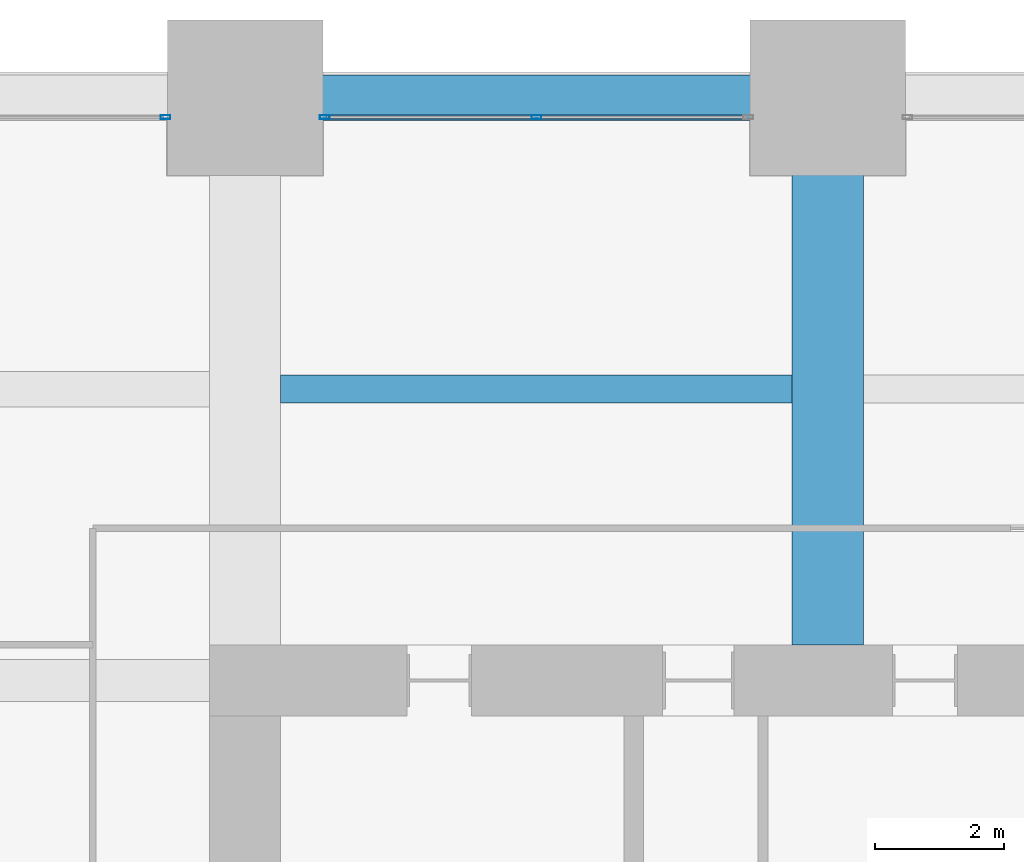
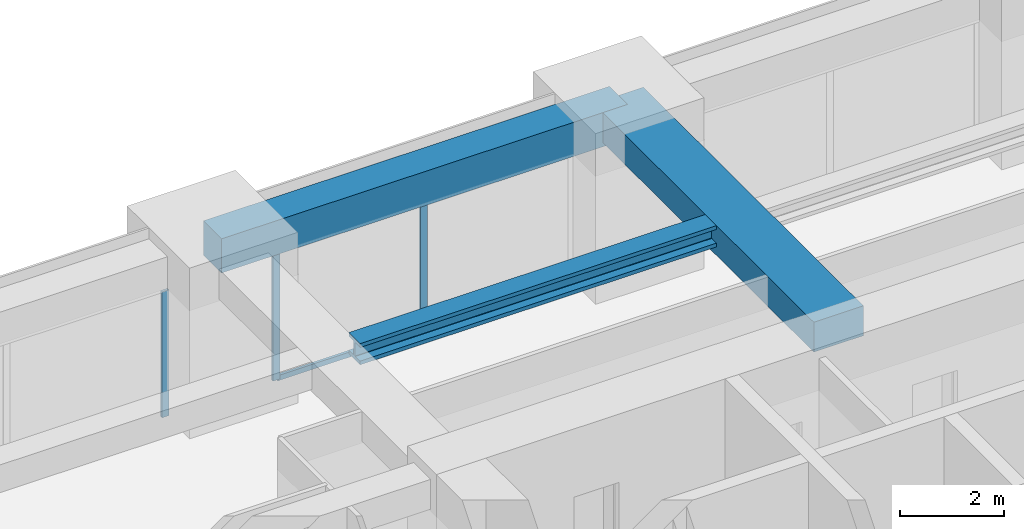
# One storey, part 24 of 33: 4 members, 3 beams, 2 elements without a shape of their own.
"""IFC4 building model written with IfcOpenShell, lengths in metres."""

from ifc_helpers import new_model, si_unit, direction, frame, origin, origin_2d, place, context, subcontext, project, spatial, rectangle, hollow_rectangle, i_section, extrude, material, material_profile, profile_set, type_object, element, aggregate, save


model = new_model("IFC4")

# Units and contexts
model_context = context("Model", 3, precision=1e-05, world=origin(), true_north=direction((0.0, 1.0)))
body_context = subcontext(model_context, "Body", "Model", "MODEL_VIEW")
ifc_project = project(units=[si_unit("LENGTHUNIT", "METRE"), si_unit("AREAUNIT", "SQUARE_METRE"), si_unit("VOLUMEUNIT", "CUBIC_METRE"), si_unit("PLANEANGLEUNIT", "RADIAN"), si_unit("MASSUNIT", "GRAM", prefix="KILO")], contexts=[model_context])

# Site, building, storey
site_placement = place(None, origin())
site = spatial("IfcSite", under=ifc_project, at=site_placement, CompositionType="ELEMENT")
building_placement = place(site_placement, origin())
building = spatial("IfcBuilding", under=site, at=building_placement, Name="Zorevar Civic Tower", CompositionType="ELEMENT")
storey_placement = place(building_placement, frame((0.0, 0.0, 178.199951171875)))
storey = spatial("IfcBuildingStorey", under=building, at=storey_placement, Name="L43", CompositionType="ELEMENT", Elevation=178.199951171875)

# Beam
ifc_material_1 = material(Name="Concrete C50/60", Category="concrete")
ifc_material_profile_1 = material_profile(ifc_material_1, rectangle(XDim=1.10009765625, YDim=0.699951171875, at=origin_2d()), Name="RC 1100x700")
ifc_profile_set_1 = profile_set([ifc_material_profile_1], Name="Concrete C50/60")
beam_type_1 = type_object("IfcBeamType", Name="Beam RC 1100x700", PredefinedType="BEAM", material=ifc_profile_set_1)
beam_1_placement = place(storey_placement, frame((27.0, 36.550048828125, 3.400146484375), z_axis=(0.0, 1.0, 0.0), x_axis=(-1.0, 0.0, 0.0)))
element("IfcBeam", 1, at=beam_1_placement, inside=storey, type_object=beam_type_1, Name="Girder L44", PredefinedType="BEAM", context=body_context, shape_type="SweptSolid", body=[
    extrude(rectangle(XDim=1.10009765625, YDim=0.699951171875, at=origin_2d()), origin(), (0.0, 0.0, 1.0), 8.449951171875),
])

# Curtain wall, member
ifc_material_2 = material(Name="Dark grey solar-control glass in black aluminium frame", Category="aluminium")
curtain_wall_type = type_object("IfcCurtainWallType", Name="Curtain wall CW4 high zone", PredefinedType="NOTDEFINED", material=ifc_material_2)
curtain_wall_1_placement = place(storey_placement, origin())
curtain_wall_1 = element("IfcCurtainWall", 2, at=curtain_wall_1_placement, inside=storey, type_object=curtain_wall_type, Name="CW4 L43", PredefinedType="NOTDEFINED")
ifc_material_3 = material(Name="Aluminium, black anodised", Category="aluminium")
ifc_material_profile_2 = material_profile(ifc_material_3, hollow_rectangle(XDim=0.06005859375, YDim=0.14990234375, WallThickness=0.00390625, at=origin_2d()), Name="AL 150x60x4")
ifc_profile_set_2 = profile_set([ifc_material_profile_2], Name="Aluminium, black anodised")
member_type_1 = type_object("IfcMemberType", Name="CW4 mullion AL 150x60x4", PredefinedType="MULLION", material=ifc_profile_set_2)
member_1_placement = place(storey_placement, frame((16.77001953125, 44.699951171875, 0.0), z_axis=(0.0, 0.0, 1.0), x_axis=(0.0, 1.0, 0.0)))
member_1 = element("IfcMember", 3, at=member_1_placement, type_object=member_type_1, Name="CW4 mullion 3", PredefinedType="MULLION", context=body_context, shape_type="SweptSolid", body=[
    extrude(hollow_rectangle(XDim=0.06005859375, YDim=0.14990234375, WallThickness=0.00390625, at=origin_2d()), origin(), (0.0, 0.0, 1.0), 2.949951171875),
])
aggregate(curtain_wall_1, [member_1])

# Curtain wall, members
curtain_wall_2_placement = place(storey_placement, origin())
curtain_wall_2 = element("IfcCurtainWall", 4, at=curtain_wall_2_placement, inside=storey, type_object=curtain_wall_type, Name="CW4 L43", PredefinedType="NOTDEFINED")
member_2_placement = place(storey_placement, frame((19.22998046875, 44.699951171875, 0.0), z_axis=(0.0, 0.0, 1.0), x_axis=(0.0, 1.0, 0.0)))
member_2 = element("IfcMember", 5, at=member_2_placement, type_object=member_type_1, Name="CW4 mullion 1", PredefinedType="MULLION", context=body_context, shape_type="SweptSolid", body=[
    extrude(hollow_rectangle(XDim=0.06005859375, YDim=0.14990234375, WallThickness=0.00390625, at=origin_2d()), origin(), (0.0, 0.0, 1.0), 2.949951171875),
])
member_3_placement = place(storey_placement, frame((22.5, 44.699951171875, 0.06005859375), z_axis=(0.0, 0.0, 1.0), x_axis=(0.0, 1.0, 0.0)))
member_3 = element("IfcMember", 6, at=member_3_placement, type_object=member_type_1, Name="CW4 mullion 2", PredefinedType="MULLION", context=body_context, shape_type="SweptSolid", body=[
    extrude(hollow_rectangle(XDim=0.06005859375, YDim=0.14990234375, WallThickness=0.00390625, at=origin_2d()), origin(), (0.0, 0.0, 1.0), 2.889892578125),
])
ifc_material_4 = material(Name="Aluminium, black anodised", Category="aluminium")
ifc_material_profile_3 = material_profile(ifc_material_4, hollow_rectangle(XDim=0.06005859375, YDim=0.1201171875, WallThickness=0.0029296875, at=origin_2d()), Name="AL 120x60x3")
ifc_profile_set_3 = profile_set([ifc_material_profile_3], Name="Aluminium, black anodised")
member_type_2 = type_object("IfcMemberType", Name="CW4 transom AL 120x60x3", PredefinedType="USERDEFINED", material=ifc_profile_set_3)
member_4_placement = place(storey_placement, frame((19.260009765625, 44.699951171875, 0.030029296875), z_axis=(1.0, 0.0, 0.0), x_axis=(0.0, 1.0, 0.0)))
member_4 = element("IfcMember", 7, at=member_4_placement, type_object=member_type_2, Name="CW4 sill transom", ObjectType="TRANSOM", PredefinedType="USERDEFINED", context=body_context, shape_type="SweptSolid", body=[
    extrude(hollow_rectangle(XDim=0.06005859375, YDim=0.1201171875, WallThickness=0.0029296875, at=origin_2d()), origin(), (0.0, 0.0, 1.0), 6.47998046875),
])
aggregate(curtain_wall_2, [member_2, member_3, member_4])

# Beams
ifc_material_5 = material(Name="Steel S460M (HISTAR 460)", Category="steel")
ifc_material_profile_4 = material_profile(ifc_material_5, i_section(OverallWidth=0.431884765625, OverallDepth=0.498046875, WebThickness=0.0556640625, FlangeThickness=0.0888671875, FilletRadius=0.014892578125, at=origin_2d()), Name="HD 400x744")
ifc_profile_set_4 = profile_set([ifc_material_profile_4], Name="Steel S460M (HISTAR 460)")
beam_type_2 = type_object("IfcBeamType", Name="Core bay beam HD 400x744", PredefinedType="BEAM", material=ifc_profile_set_4)
beam_2_placement = place(storey_placement, frame((18.550048828125, 40.5, 3.5009765625), z_axis=(1.0, 0.0, 0.0), x_axis=(0.0, 1.0, 0.0)))
element("IfcBeam", 8, at=beam_2_placement, inside=storey, type_object=beam_type_2, Name="Secondary beam L44", PredefinedType="BEAM", context=body_context, shape_type="SweptSolid", body=[
    extrude(i_section(OverallWidth=0.431884765625, OverallDepth=0.498046875, WebThickness=0.0556640625, FlangeThickness=0.0888671875, FilletRadius=0.014892578125, at=origin_2d()), origin(), (0.0, 0.0, 1.0), 7.89990234375),
])
ifc_material_6 = material(Name="Concrete C50/60", Category="concrete")
ifc_material_profile_5 = material_profile(ifc_material_6, rectangle(XDim=0.699951171875, YDim=0.800048828125, at=origin_2d()), Name="RC 700x800")
ifc_profile_set_5 = profile_set([ifc_material_profile_5], Name="Concrete C50/60")
beam_type_3 = type_object("IfcBeamType", Name="Edge beam RC 700x800", PredefinedType="SPANDREL", material=ifc_profile_set_5)
beam_3_placement = place(storey_placement, frame((18.0, 45.0, 3.35009765625), z_axis=(1.0, 0.0, 0.0), x_axis=(0.0, 1.0, 0.0)))
element("IfcBeam", 9, at=beam_3_placement, inside=storey, type_object=beam_type_3, Name="Edge beam L44", PredefinedType="SPANDREL", context=body_context, shape_type="SweptSolid", body=[
    extrude(rectangle(XDim=0.699951171875, YDim=0.800048828125, at=origin_2d()), origin(), (0.0, 0.0, 1.0), 9.0),
])

save(model, "model.ifc")
